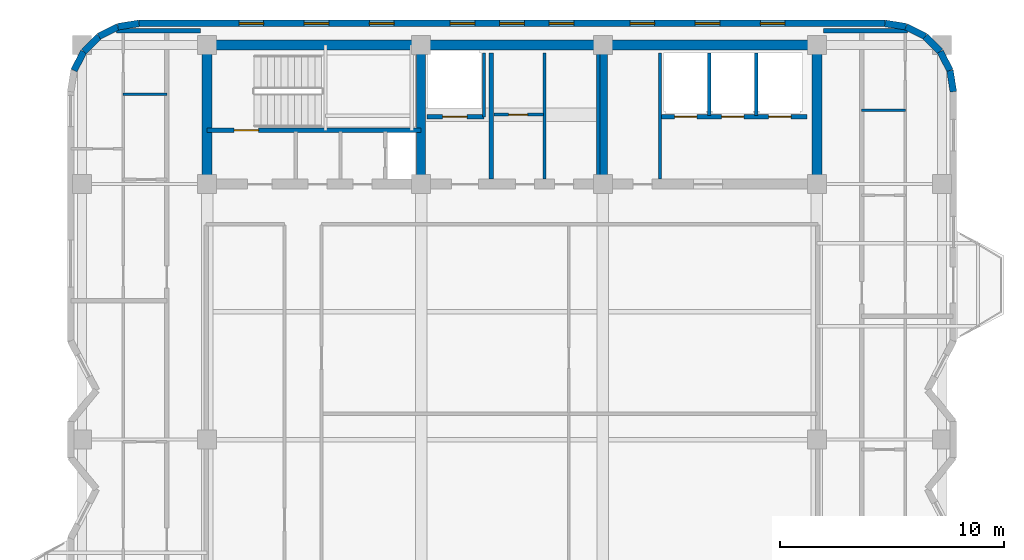
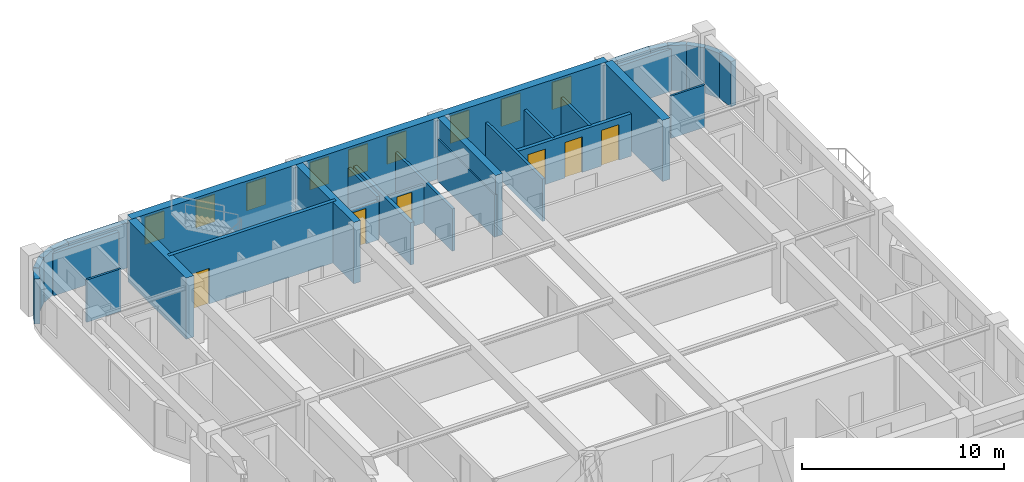
# One storey, part 6 of 9: 30 walls, 9 windows, 6 doors, 15 openings.
"""IFC4 building model written with IfcOpenShell, lengths in metres."""

from ifc_helpers import new_model, si_unit, direction, frame, frame_2d, origin, place, context, subcontext, project, spatial, rectangle, extrude, material, layer, layer_set, type_object, element, fill, save


model = new_model("IFC4")

# Units and contexts
model_context = context("Model", 3, precision=1e-05, world=origin(), true_north=direction((0.0, 1.0)))
body_context = subcontext(model_context, "Body", "Model", "MODEL_VIEW")
ifc_project = project(units=[si_unit("LENGTHUNIT", "METRE"), si_unit("AREAUNIT", "SQUARE_METRE"), si_unit("VOLUMEUNIT", "CUBIC_METRE"), si_unit("PLANEANGLEUNIT", "RADIAN"), si_unit("MASSUNIT", "GRAM", prefix="KILO")], contexts=[model_context])

# Site, building, storey
site_placement = place(None, origin())
site = spatial("IfcSite", under=ifc_project, at=site_placement, CompositionType="ELEMENT")
building_placement = place(site_placement, origin())
building = spatial("IfcBuilding", under=site, at=building_placement, Name="Svetorya Sky Lyceum", CompositionType="ELEMENT")
storey_placement = place(building_placement, frame((0.0, 0.0, 240.60009765625)))
storey = spatial("IfcBuildingStorey", under=building, at=storey_placement, Name="L60", CompositionType="ELEMENT", Elevation=240.60009765625)

# Walls
ifc_material_1 = material(Name="Concrete C40/50", Category="concrete")
ifc_layer_1 = layer(ifc_material_1, 0.39990234375)
ifc_layer_set_1 = layer_set([ifc_layer_1], Name="Concrete C40/50")
wall_type_1 = type_object("IfcWallType", Name="WL-CORE-400", PredefinedType="SHEAR", material=ifc_layer_set_1)
for number, where, z_axis, x_axis, name in (
    (1, (35.14990234375, 39.824951171875, 0.0), (0.0, 0.0, 1.0), (0.0, 1.0, 0.0), "L60 NC Internal Shear Web WEB1"),
    (2, (43.25, 39.824951171875, 0.0), (0.0, 0.0, 1.0), (0.0, 1.0, 0.0), "L60 NC Internal Shear Web WEB2"),
):
    element("IfcWall", number, at=place(storey_placement, frame(where, z_axis=z_axis, x_axis=x_axis)), inside=storey, type_object=wall_type_1, Name=name, PredefinedType="SHEAR", context=body_context, shape_type="SweptSolid", body=[
        extrude(rectangle(XDim=5.75, YDim=0.39990234375, at=frame_2d((2.875, 0.0))), origin(), (0.0, 0.0, 1.0), 3.699951171875),
    ])
ifc_material_2 = material(Name="Concrete C50/60", Category="concrete")
ifc_layer_2 = layer(ifc_material_2, 0.449951171875)
ifc_layer_set_2 = layer_set([ifc_layer_2], Name="Concrete C50/60")
wall_type_2 = type_object("IfcWallType", Name="WL-CORE-450", PredefinedType="SHEAR", material=ifc_layer_set_2)
wall_1_placement = place(storey_placement, frame((25.60009765625, 45.800048828125, 0.0), z_axis=(0.0, 0.0, 1.0), x_axis=(1.0, 0.0, 0.0)))
element("IfcWall", 3, at=wall_1_placement, inside=storey, type_object=wall_type_2, Name="L60 NC Outer Core Shear Wall", PredefinedType="SHEAR", context=body_context, shape_type="SweptSolid", body=[
    extrude(rectangle(XDim=27.199951171875, YDim=0.449951171875, at=frame_2d((13.60009765625, 0.0))), origin(), (0.0, 0.0, 1.0), 3.699951171875),
])
for number, where, z_axis, x_axis, name in (
    (4, (25.60009765625, 39.824951171875, 0.0), (0.0, 0.0, 1.0), (0.0, 1.0, 0.0), "L60 NC West Core Shear Wall"),
    (5, (52.800048828125, 39.824951171875, 0.0), (0.0, 0.0, 1.0), (0.0, 1.0, 0.0), "L60 NC East Core Shear Wall"),
):
    element("IfcWall", number, at=place(storey_placement, frame(where, z_axis=z_axis, x_axis=x_axis)), inside=storey, type_object=wall_type_2, Name=name, PredefinedType="SHEAR", context=body_context, shape_type="SweptSolid", body=[
        extrude(rectangle(XDim=5.75, YDim=0.449951171875, at=frame_2d((2.875, 0.0))), origin(), (0.0, 0.0, 1.0), 3.699951171875),
    ])
ifc_material_3 = material(Name="Putilovo limestone rainscreen on autoclaved cellular masonry", Category="masonry")
ifc_layer_3 = layer(ifc_material_3, 0.300048828125)
ifc_layer_set_3 = layer_set([ifc_layer_3], Name="Putilovo limestone rainscreen on autoclaved cellular masonry")
wall_type_3 = type_object("IfcWallType", Name="WL-EXT-300", PredefinedType="SOLIDWALL", material=ifc_layer_set_3)
wall_2_placement = place(storey_placement, frame((58.889892578125, 43.719970703125, 0.0), z_axis=(0.0, 0.0, 1.0), x_axis=(-0.156304114255, 0.987708977314, 0.0)))
element("IfcWall", 6, at=wall_2_placement, inside=storey, type_object=wall_type_3, Name="L60 Limestone Exterior Wall 19M", PredefinedType="SOLIDWALL", context=body_context, shape_type="SweptSolid", body=[
    extrude(rectangle(XDim=0.954345703125, YDim=0.300048828125, at=frame_2d((0.47705078125, 0.0))), origin(), (0.0, 0.0, 1.0), 2.72998046875),
])
wall_3_placement = place(storey_placement, frame((58.74072265625, 44.66259765625, 0.0), z_axis=(0.0, 0.0, 1.0), x_axis=(-0.45395644796, 0.891023873617, 0.0)))
element("IfcWall", 7, at=wall_3_placement, inside=storey, type_object=wall_type_3, Name="L60 Limestone Exterior Wall 20M", PredefinedType="SOLIDWALL", context=body_context, shape_type="SweptSolid", body=[
    extrude(rectangle(XDim=0.9541015625, YDim=0.300048828125, at=frame_2d((0.47705078125, 0.0))), origin(), (0.0, 0.0, 1.0), 2.72998046875),
])
for number, where, z_axis, x_axis, name in (
    (8, (58.3076171875, 45.5126953125, 0.0), (0.0, 0.0, 1.0), (-0.707106781187, 0.707106781187, 0.0), "L60 Limestone Exterior Wall 21M"),
    (9, (57.6328125, 46.1875, 0.0), (0.0, 0.0, 1.0), (-0.891076589373, 0.453852962833, 0.0), "L60 Limestone Exterior Wall 22M"),
):
    element("IfcWall", number, at=place(storey_placement, frame(where, z_axis=z_axis, x_axis=x_axis)), inside=storey, type_object=wall_type_3, Name=name, PredefinedType="SOLIDWALL", context=body_context, shape_type="SweptSolid", body=[
        extrude(rectangle(XDim=0.954345703125, YDim=0.300048828125, at=frame_2d((0.47705078125, 0.0))), origin(), (0.0, 0.0, 1.0), 2.72998046875),
    ])
wall_4_placement = place(storey_placement, frame((56.782470703125, 46.62060546875, 0.0), z_axis=(0.0, 0.0, 1.0), x_axis=(-0.987663181641, 0.156593229835, 0.0)))
element("IfcWall", 10, at=wall_4_placement, inside=storey, type_object=wall_type_3, Name="L60 Limestone Exterior Wall 23M", PredefinedType="SOLIDWALL", context=body_context, shape_type="SweptSolid", body=[
    extrude(rectangle(XDim=0.9541015625, YDim=0.300048828125, at=frame_2d((0.47705078125, 0.0))), origin(), (0.0, 0.0, 1.0), 2.72998046875),
])

# Wall, openings, windows
wall_5_placement = place(storey_placement, frame((55.840087890625, 46.77001953125, 0.0), z_axis=(0.0, 0.0, 1.0), x_axis=(-1.0, 0.0, 0.0)))
wall_5 = element("IfcWall", 11, at=wall_5_placement, inside=storey, type_object=wall_type_3, Name="L60 Limestone Exterior Wall 24M", PredefinedType="SOLIDWALL", context=body_context, shape_type="SweptSolid", body=[
    extrude(rectangle(XDim=33.280029296875, YDim=0.300048828125, at=frame_2d((16.64013671875, 0.0))), origin(), (0.0, 0.0, 1.0), 2.72998046875),
])
opening_1_placement = place(wall_5_placement, frame((4.4609375, 0.0, 0.949951171875)))
opening_1 = element("IfcOpeningElement", 12, at=opening_1_placement, cuts=wall_5, Name="Opening W-R3", PredefinedType="OPENING", context=body_context, shape_type="SweptSolid", body=[
    extrude(rectangle(XDim=1.10009765625, YDim=1.64990234375, at=frame_2d((0.550048828125, 0.824951171875))), frame((0.0, 0.159912109375, 0.0), z_axis=(0.0, -1.0, 0.0), x_axis=(1.0, 0.0, 0.0)), (0.0, 0.0, 1.0), 0.320068359375),
])
opening_2_placement = place(wall_5_placement, frame((7.3681640625, 0.0, 0.949951171875)))
opening_2 = element("IfcOpeningElement", 13, at=opening_2_placement, cuts=wall_5, Name="Opening W-R3", PredefinedType="OPENING", context=body_context, shape_type="SweptSolid", body=[
    extrude(rectangle(XDim=1.10009765625, YDim=1.64990234375, at=frame_2d((0.550048828125, 0.824951171875))), frame((0.0, 0.159912109375, 0.0), z_axis=(0.0, -1.0, 0.0), x_axis=(1.0, 0.0, 0.0)), (0.0, 0.0, 1.0), 0.320068359375),
])
opening_3_placement = place(wall_5_placement, frame((10.275390625, 0.0, 0.949951171875)))
opening_3 = element("IfcOpeningElement", 14, at=opening_3_placement, cuts=wall_5, Name="Opening W-R3", PredefinedType="OPENING", context=body_context, shape_type="SweptSolid", body=[
    extrude(rectangle(XDim=1.10009765625, YDim=1.64990234375, at=frame_2d((0.550048828125, 0.824951171875))), frame((0.0, 0.159912109375, 0.0), z_axis=(0.0, -1.0, 0.0), x_axis=(1.0, 0.0, 0.0)), (0.0, 0.0, 1.0), 0.320068359375),
])
opening_4_placement = place(wall_5_placement, frame((13.8828125, 0.0, 0.949951171875)))
opening_4 = element("IfcOpeningElement", 15, at=opening_4_placement, cuts=wall_5, Name="Opening W-R3", PredefinedType="OPENING", context=body_context, shape_type="SweptSolid", body=[
    extrude(rectangle(XDim=1.10009765625, YDim=1.64990234375, at=frame_2d((0.550048828125, 0.824951171875))), frame((0.0, 0.159912109375, 0.0), z_axis=(0.0, -1.0, 0.0), x_axis=(1.0, 0.0, 0.0)), (0.0, 0.0, 1.0), 0.320068359375),
])
opening_5_placement = place(wall_5_placement, frame((16.090087890625, 0.0, 0.949951171875)))
opening_5 = element("IfcOpeningElement", 16, at=opening_5_placement, cuts=wall_5, Name="Opening W-R3", PredefinedType="OPENING", context=body_context, shape_type="SweptSolid", body=[
    extrude(rectangle(XDim=1.10009765625, YDim=1.64990234375, at=frame_2d((0.550048828125, 0.824951171875))), frame((0.0, 0.159912109375, 0.0), z_axis=(0.0, -1.0, 0.0), x_axis=(1.0, 0.0, 0.0)), (0.0, 0.0, 1.0), 0.320068359375),
])
opening_6_placement = place(wall_5_placement, frame((18.29736328125, 0.0, 0.949951171875)))
opening_6 = element("IfcOpeningElement", 17, at=opening_6_placement, cuts=wall_5, Name="Opening W-R3", PredefinedType="OPENING", context=body_context, shape_type="SweptSolid", body=[
    extrude(rectangle(XDim=1.10009765625, YDim=1.64990234375, at=frame_2d((0.550048828125, 0.824951171875))), frame((0.0, 0.159912109375, 0.0), z_axis=(0.0, -1.0, 0.0), x_axis=(1.0, 0.0, 0.0)), (0.0, 0.0, 1.0), 0.320068359375),
])
opening_7_placement = place(wall_5_placement, frame((21.904541015625, 0.0, 0.949951171875)))
opening_7 = element("IfcOpeningElement", 18, at=opening_7_placement, cuts=wall_5, Name="Opening W-R3", PredefinedType="OPENING", context=body_context, shape_type="SweptSolid", body=[
    extrude(rectangle(XDim=1.10009765625, YDim=1.64990234375, at=frame_2d((0.550048828125, 0.824951171875))), frame((0.0, 0.159912109375, 0.0), z_axis=(0.0, -1.0, 0.0), x_axis=(1.0, 0.0, 0.0)), (0.0, 0.0, 1.0), 0.320068359375),
])
opening_8_placement = place(wall_5_placement, frame((24.811767578125, 0.0, 0.949951171875)))
opening_8 = element("IfcOpeningElement", 19, at=opening_8_placement, cuts=wall_5, Name="Opening W-R3", PredefinedType="OPENING", context=body_context, shape_type="SweptSolid", body=[
    extrude(rectangle(XDim=1.10009765625, YDim=1.64990234375, at=frame_2d((0.550048828125, 0.824951171875))), frame((0.0, 0.159912109375, 0.0), z_axis=(0.0, -1.0, 0.0), x_axis=(1.0, 0.0, 0.0)), (0.0, 0.0, 1.0), 0.320068359375),
])
opening_9_placement = place(wall_5_placement, frame((27.718994140625, 0.0, 0.949951171875)))
opening_9 = element("IfcOpeningElement", 20, at=opening_9_placement, cuts=wall_5, Name="Opening W-R3", PredefinedType="OPENING", context=body_context, shape_type="SweptSolid", body=[
    extrude(rectangle(XDim=1.10009765625, YDim=1.64990234375, at=frame_2d((0.550048828125, 0.824951171875))), frame((0.0, 0.159912109375, 0.0), z_axis=(0.0, -1.0, 0.0), x_axis=(1.0, 0.0, 0.0)), (0.0, 0.0, 1.0), 0.320068359375),
])
ifc_material_4 = material(Name="Thermally broken aluminium frame with triple low-E glazing", Category="aluminium")
window_type = type_object("IfcWindowType", Name="WN-RES-110", PartitioningType="SINGLE_PANEL", PredefinedType="WINDOW", material=ifc_material_4)
window_1_placement = place(opening_1_placement, origin())
window_1 = element("IfcWindow", 21, at=window_1_placement, inside=storey, type_object=window_type, Name="L60 Facade Window W-R3.24M.1", OverallHeight=1.64990234375, OverallWidth=1.10009765625, PartitioningType="SINGLE_PANEL", PredefinedType="WINDOW", context=body_context, shape_type="SweptSolid", body=[
    extrude(rectangle(XDim=1.10009765625, YDim=1.64990234375, at=frame_2d((0.550048828125, 0.824951171875))), frame((0.0, 0.030029296875, 0.0), z_axis=(0.0, -1.0, 0.0), x_axis=(1.0, 0.0, 0.0)), (0.0, 0.0, 1.0), 0.06005859375),
])
fill(opening_1, window_1)
window_2_placement = place(opening_2_placement, origin())
window_2 = element("IfcWindow", 22, at=window_2_placement, inside=storey, type_object=window_type, Name="L60 Facade Window W-R3.24M.2", OverallHeight=1.64990234375, OverallWidth=1.10009765625, PartitioningType="SINGLE_PANEL", PredefinedType="WINDOW", context=body_context, shape_type="SweptSolid", body=[
    extrude(rectangle(XDim=1.10009765625, YDim=1.64990234375, at=frame_2d((0.550048828125, 0.824951171875))), frame((0.0, 0.030029296875, 0.0), z_axis=(0.0, -1.0, 0.0), x_axis=(1.0, 0.0, 0.0)), (0.0, 0.0, 1.0), 0.06005859375),
])
fill(opening_2, window_2)
window_3_placement = place(opening_3_placement, origin())
window_3 = element("IfcWindow", 23, at=window_3_placement, inside=storey, type_object=window_type, Name="L60 Facade Window W-R3.24M.3", OverallHeight=1.64990234375, OverallWidth=1.10009765625, PartitioningType="SINGLE_PANEL", PredefinedType="WINDOW", context=body_context, shape_type="SweptSolid", body=[
    extrude(rectangle(XDim=1.10009765625, YDim=1.64990234375, at=frame_2d((0.550048828125, 0.824951171875))), frame((0.0, 0.030029296875, 0.0), z_axis=(0.0, -1.0, 0.0), x_axis=(1.0, 0.0, 0.0)), (0.0, 0.0, 1.0), 0.06005859375),
])
fill(opening_3, window_3)
window_4_placement = place(opening_4_placement, origin())
window_4 = element("IfcWindow", 24, at=window_4_placement, inside=storey, type_object=window_type, Name="L60 Facade Window W-R3.24M.4", OverallHeight=1.64990234375, OverallWidth=1.10009765625, PartitioningType="SINGLE_PANEL", PredefinedType="WINDOW", context=body_context, shape_type="SweptSolid", body=[
    extrude(rectangle(XDim=1.10009765625, YDim=1.64990234375, at=frame_2d((0.550048828125, 0.824951171875))), frame((0.0, 0.030029296875, 0.0), z_axis=(0.0, -1.0, 0.0), x_axis=(1.0, 0.0, 0.0)), (0.0, 0.0, 1.0), 0.06005859375),
])
fill(opening_4, window_4)
window_5_placement = place(opening_5_placement, origin())
window_5 = element("IfcWindow", 25, at=window_5_placement, inside=storey, type_object=window_type, Name="L60 Facade Window W-R3.24M.5", OverallHeight=1.64990234375, OverallWidth=1.10009765625, PartitioningType="SINGLE_PANEL", PredefinedType="WINDOW", context=body_context, shape_type="SweptSolid", body=[
    extrude(rectangle(XDim=1.10009765625, YDim=1.64990234375, at=frame_2d((0.550048828125, 0.824951171875))), frame((0.0, 0.030029296875, 0.0), z_axis=(0.0, -1.0, 0.0), x_axis=(1.0, 0.0, 0.0)), (0.0, 0.0, 1.0), 0.06005859375),
])
fill(opening_5, window_5)
window_6_placement = place(opening_6_placement, origin())
window_6 = element("IfcWindow", 26, at=window_6_placement, inside=storey, type_object=window_type, Name="L60 Facade Window W-R3.24M.6", OverallHeight=1.64990234375, OverallWidth=1.10009765625, PartitioningType="SINGLE_PANEL", PredefinedType="WINDOW", context=body_context, shape_type="SweptSolid", body=[
    extrude(rectangle(XDim=1.10009765625, YDim=1.64990234375, at=frame_2d((0.550048828125, 0.824951171875))), frame((0.0, 0.030029296875, 0.0), z_axis=(0.0, -1.0, 0.0), x_axis=(1.0, 0.0, 0.0)), (0.0, 0.0, 1.0), 0.06005859375),
])
fill(opening_6, window_6)
window_7_placement = place(opening_7_placement, origin())
window_7 = element("IfcWindow", 27, at=window_7_placement, inside=storey, type_object=window_type, Name="L60 Facade Window W-R3.24M.7", OverallHeight=1.64990234375, OverallWidth=1.10009765625, PartitioningType="SINGLE_PANEL", PredefinedType="WINDOW", context=body_context, shape_type="SweptSolid", body=[
    extrude(rectangle(XDim=1.10009765625, YDim=1.64990234375, at=frame_2d((0.550048828125, 0.824951171875))), frame((0.0, 0.030029296875, 0.0), z_axis=(0.0, -1.0, 0.0), x_axis=(1.0, 0.0, 0.0)), (0.0, 0.0, 1.0), 0.06005859375),
])
fill(opening_7, window_7)
window_8_placement = place(opening_8_placement, origin())
window_8 = element("IfcWindow", 28, at=window_8_placement, inside=storey, type_object=window_type, Name="L60 Facade Window W-R3.24M.8", OverallHeight=1.64990234375, OverallWidth=1.10009765625, PartitioningType="SINGLE_PANEL", PredefinedType="WINDOW", context=body_context, shape_type="SweptSolid", body=[
    extrude(rectangle(XDim=1.10009765625, YDim=1.64990234375, at=frame_2d((0.550048828125, 0.824951171875))), frame((0.0, 0.030029296875, 0.0), z_axis=(0.0, -1.0, 0.0), x_axis=(1.0, 0.0, 0.0)), (0.0, 0.0, 1.0), 0.06005859375),
])
fill(opening_8, window_8)
window_9_placement = place(opening_9_placement, origin())
window_9 = element("IfcWindow", 29, at=window_9_placement, inside=storey, type_object=window_type, Name="L60 Facade Window W-R3.24M.9", OverallHeight=1.64990234375, OverallWidth=1.10009765625, PartitioningType="SINGLE_PANEL", PredefinedType="WINDOW", context=body_context, shape_type="SweptSolid", body=[
    extrude(rectangle(XDim=1.10009765625, YDim=1.64990234375, at=frame_2d((0.550048828125, 0.824951171875))), frame((0.0, 0.030029296875, 0.0), z_axis=(0.0, -1.0, 0.0), x_axis=(1.0, 0.0, 0.0)), (0.0, 0.0, 1.0), 0.06005859375),
])
fill(opening_9, window_9)

# Walls
wall_6_placement = place(storey_placement, frame((22.56005859375, 46.77001953125, 0.0), z_axis=(0.0, 0.0, 1.0), x_axis=(-0.987669453596, -0.156553666304, 0.0)))
element("IfcWall", 30, at=wall_6_placement, inside=storey, type_object=wall_type_3, Name="L60 Limestone Exterior Wall 25M", PredefinedType="SOLIDWALL", context=body_context, shape_type="SweptSolid", body=[
    extrude(rectangle(XDim=0.954345703125, YDim=0.300048828125, at=frame_2d((0.47705078125, 0.0))), origin(), (0.0, 0.0, 1.0), 2.72998046875),
])
wall_7_placement = place(storey_placement, frame((21.617431640625, 46.62060546875, 0.0), z_axis=(0.0, 0.0, 1.0), x_axis=(-0.891023873617, -0.45395644796, 0.0)))
element("IfcWall", 31, at=wall_7_placement, inside=storey, type_object=wall_type_3, Name="L60 Limestone Exterior Wall 26M", PredefinedType="SOLIDWALL", context=body_context, shape_type="SweptSolid", body=[
    extrude(rectangle(XDim=0.9541015625, YDim=0.300048828125, at=frame_2d((0.47705078125, 0.0))), origin(), (0.0, 0.0, 1.0), 2.72998046875),
])
wall_8_placement = place(storey_placement, frame((20.767333984375, 46.1875, 0.0), z_axis=(0.0, 0.0, 1.0), x_axis=(-0.707106781187, -0.707106781187, 0.0)))
element("IfcWall", 32, at=wall_8_placement, inside=storey, type_object=wall_type_3, Name="L60 Limestone Exterior Wall 27M", PredefinedType="SOLIDWALL", context=body_context, shape_type="SweptSolid", body=[
    extrude(rectangle(XDim=0.954345703125, YDim=0.300048828125, at=frame_2d((0.47705078125, 0.0))), origin(), (0.0, 0.0, 1.0), 2.72998046875),
])
wall_9_placement = place(storey_placement, frame((20.092529296875, 45.5126953125, 0.0), z_axis=(0.0, 0.0, 1.0), x_axis=(-0.454159573051, -0.890920356825, 0.0)))
element("IfcWall", 33, at=wall_9_placement, inside=storey, type_object=wall_type_3, Name="L60 Limestone Exterior Wall 28M", PredefinedType="SOLIDWALL", context=body_context, shape_type="SweptSolid", body=[
    extrude(rectangle(XDim=0.9541015625, YDim=0.300048828125, at=frame_2d((0.47705078125, 0.0))), origin(), (0.0, 0.0, 1.0), 2.72998046875),
])

# Wall, opening, door
ifc_material_5 = material(Name="Twin-stud galvanized framing with double fireboard", Category="gypsum")
ifc_layer_4 = layer(ifc_material_5, 0.1201171875)
ifc_layer_set_4 = layer_set([ifc_layer_4], Name="Twin-stud galvanized framing with double fireboard")
wall_type_4 = type_object("IfcWallType", Name="WL-PART-120", PredefinedType="PARTITIONING", material=ifc_layer_set_4)
wall_10_placement = place(storey_placement, frame((38.39990234375, 42.699951171875, 0.0), z_axis=(0.0, 0.0, 1.0), x_axis=(1.0, 0.0, 0.0)))
wall_10 = element("IfcWall", 34, at=wall_10_placement, inside=storey, type_object=wall_type_4, Name="L60 Interior Partition NC-FPM-H", PredefinedType="PARTITIONING", context=body_context, shape_type="SweptSolid", body=[
    extrude(rectangle(XDim=2.2001953125, YDim=0.1201171875, at=frame_2d((1.10009765625, 0.0))), origin(), (0.0, 0.0, 1.0), 2.329833984375),
])
opening_10_placement = place(wall_10_placement, frame((0.64990234375, 0.0, 0.0)))
opening_10 = element("IfcOpeningElement", 35, at=opening_10_placement, cuts=wall_10, Name="Opening D-CWC1", PredefinedType="OPENING", context=body_context, shape_type="SweptSolid", body=[
    extrude(rectangle(XDim=0.85009765625, YDim=2.10009765625, at=frame_2d((0.425048828125, 1.050048828125))), frame((0.0, 0.070068359375, 0.0), z_axis=(0.0, -1.0, 0.0), x_axis=(1.0, 0.0, 0.0)), (0.0, 0.0, 1.0), 0.14013671875),
])
ifc_material_6 = material(Name="Fire-rated galvanized steel core service closet door", Category="steel")
door_type_1 = type_object("IfcDoorType", Name="DR-CWET-850", OperationType="SINGLE_SWING_LEFT", PredefinedType="DOOR", material=ifc_material_6)
door_1_placement = place(opening_10_placement, origin())
door_1 = element("IfcDoor", 36, at=door_1_placement, inside=storey, type_object=door_type_1, Name="L60 Rear IT Closet Door", OperationType="SINGLE_SWING_LEFT", OverallHeight=2.10009765625, OverallWidth=0.85009765625, PredefinedType="DOOR", context=body_context, shape_type="SweptSolid", body=[
    extrude(rectangle(XDim=0.85009765625, YDim=2.10009765625, at=frame_2d((0.425048828125, 1.050048828125))), frame((0.0, 0.02490234375, 0.0), z_axis=(0.0, -1.0, 0.0), x_axis=(1.0, 0.0, 0.0)), (0.0, 0.0, 1.0), 0.050048828125),
])
fill(opening_10, door_1)

# Walls
for number, where, z_axis, x_axis, name in (
    (37, (21.85009765625, 43.60498046875, 0.0), (0.0, 0.0, 1.0), (1.0, 0.0, 0.0), "L60 Interior Partition W3-WH2"),
    (38, (54.800048828125, 42.89990234375, 0.0), (0.0, 0.0, 1.0), (1.0, 0.0, 0.0), "L60 Interior Partition E3-WH2"),
):
    element("IfcWall", number, at=place(storey_placement, frame(where, z_axis=z_axis, x_axis=x_axis)), inside=storey, type_object=wall_type_4, Name=name, PredefinedType="PARTITIONING", context=body_context, shape_type="SweptSolid", body=[
        extrude(rectangle(XDim=1.949951171875, YDim=0.1201171875, at=frame_2d((0.97509765625, 0.0))), origin(), (0.0, 0.0, 1.0), 2.559814453125),
    ])
ifc_material_7 = material(Name="Autoclaved cellular masonry blockwork with acoustic render", Category="masonry")
ifc_layer_5 = layer(ifc_material_7, 0.14990234375)
ifc_layer_set_5 = layer_set([ifc_layer_5], Name="Autoclaved cellular masonry blockwork with acoustic render")
wall_type_5 = type_object("IfcWallType", Name="WL-PART-150", PredefinedType="PARTITIONING", material=ifc_layer_set_5)
wall_11_placement = place(storey_placement, frame((37.949951171875, 42.60009765625, 0.0), z_axis=(0.0, 0.0, 1.0), x_axis=(0.0, 1.0, 0.0)))
element("IfcWall", 39, at=wall_11_placement, inside=storey, type_object=wall_type_5, Name="L60 Interior Partition NC-FL1SIDE", PredefinedType="PARTITIONING", context=body_context, shape_type="SweptSolid", body=[
    extrude(rectangle(XDim=2.849853515625, YDim=0.14990234375, at=frame_2d((1.4248046875, 0.0))), origin(), (0.0, 0.0, 1.0), 2.559814453125),
])
for number, where, z_axis, x_axis, name in (
    (40, (43.050048828125, 39.820068359375, 0.0), (0.0, 0.0, 1.0), (0.0, 1.0, 0.0), "L60 Interior Partition NC-FPM-END"),
    (41, (40.64990234375, 39.820068359375, 0.0), (0.0, 0.0, 1.0), (0.0, 1.0, 0.0), "L60 Interior Partition NC-FPM-V"),
    (42, (45.800048828125, 39.820068359375, 0.0), (0.0, 0.0, 1.0), (0.0, 1.0, 0.0), "L60 Interior Partition NC-PM3-FULL"),
):
    element("IfcWall", number, at=place(storey_placement, frame(where, z_axis=z_axis, x_axis=x_axis)), inside=storey, type_object=wall_type_5, Name=name, PredefinedType="PARTITIONING", context=body_context, shape_type="SweptSolid", body=[
        extrude(rectangle(XDim=5.6298828125, YDim=0.14990234375, at=frame_2d((2.81494140625, 0.0))), origin(), (0.0, 0.0, 1.0), 2.559814453125),
    ])
for number, where, z_axis, x_axis, name in (
    (43, (48.0, 42.64990234375, 0.0), (0.0, 0.0, 1.0), (0.0, 1.0, 0.0), "L60 Interior Partition NC-PH-D1"),
    (44, (50.10009765625, 42.64990234375, 0.0), (0.0, 0.0, 1.0), (0.0, 1.0, 0.0), "L60 Interior Partition NC-PH-D2"),
):
    element("IfcWall", number, at=place(storey_placement, frame(where, z_axis=z_axis, x_axis=x_axis)), inside=storey, type_object=wall_type_5, Name=name, PredefinedType="PARTITIONING", context=body_context, shape_type="SweptSolid", body=[
        extrude(rectangle(XDim=2.800048828125, YDim=0.14990234375, at=frame_2d((1.39990234375, 0.0))), origin(), (0.0, 0.0, 1.0), 2.559814453125),
    ])

# Wall, opening, door
ifc_material_8 = material(Name="Autoclaved cellular masonry blockwork with gypsum plaster", Category="masonry")
ifc_layer_6 = layer(ifc_material_8, 0.199951171875)
ifc_layer_set_6 = layer_set([ifc_layer_6], Name="Autoclaved cellular masonry blockwork with gypsum plaster")
wall_type_6 = type_object("IfcWallType", Name="WL-PART-200", PredefinedType="PARTITIONING", material=ifc_layer_set_6)
wall_12_placement = place(storey_placement, frame((37.949951171875, 42.60009765625, 0.0), z_axis=(0.0, 0.0, 1.0), x_axis=(-1.0, 0.0, 0.0)))
wall_12 = element("IfcWall", 45, at=wall_12_placement, inside=storey, type_object=wall_type_6, Name="L60 Interior Partition NC-FL1W", PredefinedType="PARTITIONING", context=body_context, shape_type="SweptSolid", body=[
    extrude(rectangle(XDim=2.550048828125, YDim=0.199951171875, at=frame_2d((1.27490234375, 0.0))), origin(), (0.0, 0.0, 1.0), 2.329833984375),
])
opening_11_placement = place(wall_12_placement, frame((0.75, 0.0, 0.0)))
opening_11 = element("IfcOpeningElement", 46, at=opening_11_placement, cuts=wall_12, Name="Opening LD-FL", PredefinedType="OPENING", context=body_context, shape_type="SweptSolid", body=[
    extrude(rectangle(XDim=1.10009765625, YDim=2.14990234375, at=frame_2d((0.550048828125, 1.074951171875))), frame((0.0, 0.10986328125, 0.0), z_axis=(0.0, -1.0, 0.0), x_axis=(1.0, 0.0, 0.0)), (0.0, 0.0, 1.0), 0.219970703125),
])
ifc_material_9 = material(Name="Fire-rated stainless AISI 304 firefighting lift landing door")
door_type_2 = type_object("IfcDoorType", Name="DR-LIFT-1100", OperationType="SLIDING_TO_LEFT", PredefinedType="DOOR", material=ifc_material_9)
door_2_placement = place(opening_11_placement, origin())
door_2 = element("IfcDoor", 47, at=door_2_placement, inside=storey, type_object=door_type_2, Name="L60 Firefighting Lift FL1 Landing Door", OperationType="SLIDING_TO_LEFT", OverallHeight=2.14990234375, OverallWidth=1.10009765625, PredefinedType="DOOR", context=body_context, shape_type="SweptSolid", body=[
    extrude(rectangle(XDim=1.10009765625, YDim=2.14990234375, at=frame_2d((0.550048828125, 1.074951171875))), frame((0.0, 0.02490234375, 0.0), z_axis=(0.0, -1.0, 0.0), x_axis=(1.0, 0.0, 0.0)), (0.0, 0.0, 1.0), 0.050048828125),
])
fill(opening_11, door_2)

# Wall
wall_13_placement = place(storey_placement, frame((38.280029296875, 39.820068359375, 0.0), z_axis=(0.0, 0.0, 1.0), x_axis=(0.0, 1.0, 0.0)))
element("IfcWall", 48, at=wall_13_placement, inside=storey, type_object=wall_type_6, Name="L60 Interior Partition NC-FFLDIV", PredefinedType="PARTITIONING", context=body_context, shape_type="SweptSolid", body=[
    extrude(rectangle(XDim=5.6298828125, YDim=0.199951171875, at=frame_2d((2.81494140625, 0.0))), origin(), (0.0, 0.0, 1.0), 2.559814453125),
])

# Wall, openings, doors
wall_14_placement = place(storey_placement, frame((52.35009765625, 42.60009765625, 0.0), z_axis=(0.0, 0.0, 1.0), x_axis=(-1.0, 0.0, 0.0)))
wall_14 = element("IfcWall", 49, at=wall_14_placement, inside=storey, type_object=wall_type_6, Name="L60 Interior Partition NC-PHEW", PredefinedType="PARTITIONING", context=body_context, shape_type="SweptSolid", body=[
    extrude(rectangle(XDim=6.5, YDim=0.199951171875, at=frame_2d((3.25, 0.0))), origin(), (0.0, 0.0, 1.0), 2.559814453125),
])
opening_12_placement = place(wall_14_placement, frame((4.89990234375, 0.0, 0.0)))
opening_12 = element("IfcOpeningElement", 50, at=opening_12_placement, cuts=wall_14, Name="Opening LD-P1", PredefinedType="OPENING", context=body_context, shape_type="SweptSolid", body=[
    extrude(rectangle(XDim=1.0, YDim=2.14990234375, at=frame_2d((0.5, 1.074951171875))), frame((0.0, 0.10986328125, 0.0), z_axis=(0.0, -1.0, 0.0), x_axis=(1.0, 0.0, 0.0)), (0.0, 0.0, 1.0), 0.219970703125),
])
opening_13_placement = place(wall_14_placement, frame((2.800048828125, 0.0, 0.0)))
opening_13 = element("IfcOpeningElement", 51, at=opening_13_placement, cuts=wall_14, Name="Opening LD-P1", PredefinedType="OPENING", context=body_context, shape_type="SweptSolid", body=[
    extrude(rectangle(XDim=1.0, YDim=2.14990234375, at=frame_2d((0.5, 1.074951171875))), frame((0.0, 0.10986328125, 0.0), z_axis=(0.0, -1.0, 0.0), x_axis=(1.0, 0.0, 0.0)), (0.0, 0.0, 1.0), 0.219970703125),
])
opening_14_placement = place(wall_14_placement, frame((0.699951171875, 0.0, 0.0)))
opening_14 = element("IfcOpeningElement", 52, at=opening_14_placement, cuts=wall_14, Name="Opening LD-P1", PredefinedType="OPENING", context=body_context, shape_type="SweptSolid", body=[
    extrude(rectangle(XDim=1.0, YDim=2.14990234375, at=frame_2d((0.5, 1.074951171875))), frame((0.0, 0.10986328125, 0.0), z_axis=(0.0, -1.0, 0.0), x_axis=(1.0, 0.0, 0.0)), (0.0, 0.0, 1.0), 0.219970703125),
])
ifc_material_10 = material(Name="Champagne-anodized stainless passenger lift landing door")
door_type_3 = type_object("IfcDoorType", Name="DR-LIFT-1000", OperationType="SLIDING_TO_LEFT", PredefinedType="DOOR", material=ifc_material_10)
door_3_placement = place(opening_12_placement, origin())
door_3 = element("IfcDoor", 53, at=door_3_placement, inside=storey, type_object=door_type_3, Name="L60 Passenger Lift PH1 Landing Door", OperationType="SLIDING_TO_LEFT", OverallHeight=2.14990234375, OverallWidth=1.0, PredefinedType="DOOR", context=body_context, shape_type="SweptSolid", body=[
    extrude(rectangle(XDim=1.0, YDim=2.14990234375, at=frame_2d((0.5, 1.074951171875))), frame((0.0, 0.02490234375, 0.0), z_axis=(0.0, -1.0, 0.0), x_axis=(1.0, 0.0, 0.0)), (0.0, 0.0, 1.0), 0.050048828125),
])
fill(opening_12, door_3)
door_4_placement = place(opening_13_placement, origin())
door_4 = element("IfcDoor", 54, at=door_4_placement, inside=storey, type_object=door_type_3, Name="L60 Passenger Lift PH2 Landing Door", OperationType="SLIDING_TO_LEFT", OverallHeight=2.14990234375, OverallWidth=1.0, PredefinedType="DOOR", context=body_context, shape_type="SweptSolid", body=[
    extrude(rectangle(XDim=1.0, YDim=2.14990234375, at=frame_2d((0.5, 1.074951171875))), frame((0.0, 0.02490234375, 0.0), z_axis=(0.0, -1.0, 0.0), x_axis=(1.0, 0.0, 0.0)), (0.0, 0.0, 1.0), 0.050048828125),
])
fill(opening_13, door_4)
door_5_placement = place(opening_14_placement, origin())
door_5 = element("IfcDoor", 55, at=door_5_placement, inside=storey, type_object=door_type_3, Name="L60 Passenger Lift PH3 Landing Door", OperationType="SLIDING_TO_LEFT", OverallHeight=2.14990234375, OverallWidth=1.0, PredefinedType="DOOR", context=body_context, shape_type="SweptSolid", body=[
    extrude(rectangle(XDim=1.0, YDim=2.14990234375, at=frame_2d((0.5, 1.074951171875))), frame((0.0, 0.02490234375, 0.0), z_axis=(0.0, -1.0, 0.0), x_axis=(1.0, 0.0, 0.0)), (0.0, 0.0, 1.0), 0.050048828125),
])
fill(opening_14, door_5)

# Walls
wall_15_placement = place(storey_placement, frame((21.5458984375, 46.449951171875, 0.0), z_axis=(0.0, 0.0, 1.0), x_axis=(1.0, 0.0, 0.0)))
element("IfcWall", 56, at=wall_15_placement, inside=storey, type_object=wall_type_6, Name="L60 Interior Partition W-CAP-N", PredefinedType="PARTITIONING", context=body_context, shape_type="SweptSolid", body=[
    extrude(rectangle(XDim=3.754150390625, YDim=0.199951171875, at=frame_2d((1.876953125, 0.0))), origin(), (0.0, 0.0, 1.0), 2.559814453125),
])
wall_16_placement = place(storey_placement, frame((53.10009765625, 46.449951171875, 0.0), z_axis=(0.0, 0.0, 1.0), x_axis=(1.0, 0.0, 0.0)))
element("IfcWall", 57, at=wall_16_placement, inside=storey, type_object=wall_type_6, Name="L60 Interior Partition E-CAP-N", PredefinedType="PARTITIONING", context=body_context, shape_type="SweptSolid", body=[
    extrude(rectangle(XDim=3.75390625, YDim=0.199951171875, at=frame_2d((1.876953125, 0.0))), origin(), (0.0, 0.0, 1.0), 2.559814453125),
])

# Wall, opening, door
ifc_layer_7 = layer(ifc_material_2, 0.199951171875)
ifc_layer_set_7 = layer_set([ifc_layer_7], Name="Concrete C50/60")
wall_type_7 = type_object("IfcWallType", Name="WL-SHW-200", PredefinedType="SHEAR", material=ifc_layer_set_7)
wall_17_placement = place(storey_placement, frame((35.14990234375, 42.0, 0.0), z_axis=(0.0, 0.0, 1.0), x_axis=(-1.0, 0.0, 0.0)))
wall_17 = element("IfcWall", 58, at=wall_17_placement, inside=storey, type_object=wall_type_7, Name="L60 Structural Stair Shaft Wall NC-STW", PredefinedType="SHEAR", context=body_context, shape_type="SweptSolid", body=[
    extrude(rectangle(XDim=9.5498046875, YDim=0.199951171875, at=frame_2d((4.77490234375, 0.0))), origin(), (0.0, 0.0, 1.0), 3.699951171875),
])
opening_15_placement = place(wall_17_placement, frame((7.25, 0.0, 0.0)))
opening_15 = element("IfcOpeningElement", 59, at=opening_15_placement, cuts=wall_17, Name="Opening D-ST1", PredefinedType="OPENING", context=body_context, shape_type="SweptSolid", body=[
    extrude(rectangle(XDim=1.10009765625, YDim=2.14990234375, at=frame_2d((0.550048828125, 1.074951171875))), frame((0.0, 0.10986328125, 0.0), z_axis=(0.0, -1.0, 0.0), x_axis=(1.0, 0.0, 0.0)), (0.0, 0.0, 1.0), 0.219970703125),
])
ifc_material_11 = material(Name="Powder-coated insulated galvanized stair fire door")
door_type_4 = type_object("IfcDoorType", Name="DR-FIRE-1100", OperationType="SINGLE_SWING_LEFT", PredefinedType="DOOR", material=ifc_material_11)
door_6_placement = place(opening_15_placement, origin())
door_6 = element("IfcDoor", 60, at=door_6_placement, inside=storey, type_object=door_type_4, Name="L60 Stair ST-N Vestibule Fire Door", OperationType="SINGLE_SWING_RIGHT", OverallHeight=2.14990234375, OverallWidth=1.10009765625, PredefinedType="DOOR", context=body_context, shape_type="SweptSolid", body=[
    extrude(rectangle(XDim=1.10009765625, YDim=2.14990234375, at=frame_2d((0.550048828125, 1.074951171875))), frame((0.0, 0.02490234375, 0.0), z_axis=(0.0, -1.0, 0.0), x_axis=(1.0, 0.0, 0.0)), (0.0, 0.0, 1.0), 0.050048828125),
])
fill(opening_15, door_6)

save(model, "model.ifc")
